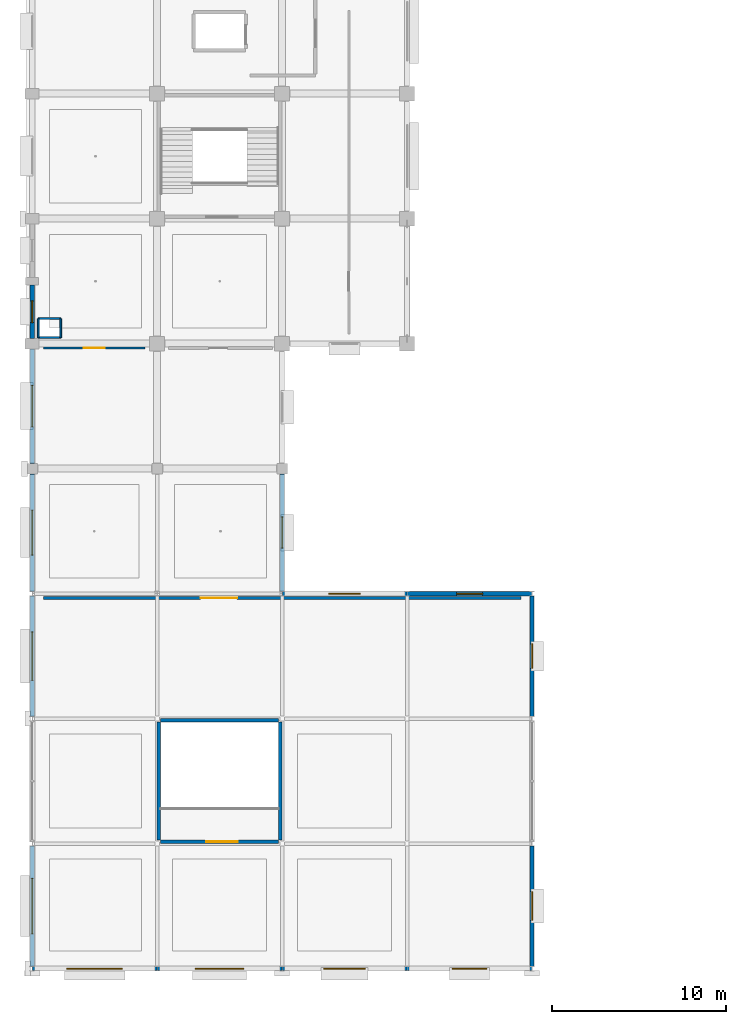
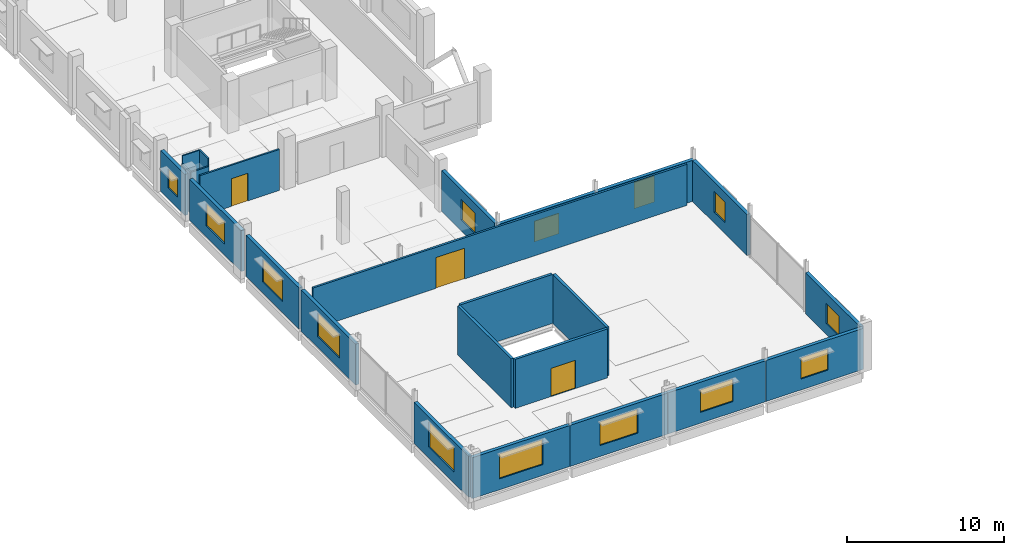
# One storey, part 76 of 107: 24 walls, 14 windows, 3 doors, 17 openings.
"""IFC4 building model written with IfcOpenShell, lengths in metres."""

import ifcopenshell
import ifcopenshell.guid

model = None  # the IFC model being written
_history = None  # IfcOwnerHistory: only IFC2X3 demands one
_inside = {}  # id of a spatial element -> (the spatial element, [elements in it])
_under = {}  # id of a project, library or spatial element -> (it, [spatial elements below it])
_declared = {}  # id of a project -> (the project, [libraries it declares])
_typed = {}  # id of a type object -> (the type object, [elements of that type])
_made_of = {}  # id of a material, layer set ... -> (it, [elements and type objects made of it])


def new_model(schema):
    """Start an empty IFC model of exactly this schema.

    Asked for "IFC4X3", IfcOpenShell would pick the latest addendum, in which some entities
    have other attributes; the version numbers below select the first issue.
    IFC2X3 requires an IfcOwnerHistory on every rooted entity: one is made here for all.
    """
    global model, _history
    if schema == "IFC4X3":
        model = ifcopenshell.file(schema_version=(4, 3, 0, 0))
    else:
        model = ifcopenshell.file(schema=schema)
    _inside.clear()
    _under.clear()
    _declared.clear()
    _typed.clear()
    _made_of.clear()
    _history = None
    if model.schema == "IFC2X3":
        org = make("IfcOrganization", Name="unknown")
        user = make(
            "IfcPersonAndOrganization",
            ThePerson=make("IfcPerson", FamilyName="unknown"),
            TheOrganization=org,
        )
        app = make(
            "IfcApplication",
            ApplicationDeveloper=org,
            Version="unknown",
            ApplicationFullName="unknown",
            ApplicationIdentifier="unknown",
        )
        _history = make(
            "IfcOwnerHistory",
            OwningUser=user,
            OwningApplication=app,
            ChangeAction="ADDED",
            CreationDate=0,
        )
    return model


def make(cls, **values):
    """One entity of the class cls with the attributes given. An attribute that is None is left unset."""
    return model.create_entity(
        cls, **{name: value for name, value in values.items() if value is not None}
    )


def rooted(cls, **values):
    """An entity with a GlobalId (a new one), such as an element, a storey or a relation."""
    return make(cls, GlobalId=ifcopenshell.guid.new(), OwnerHistory=_history, **values)


def si_unit(unit_type, name, prefix=None):
    """IfcSIUnit, for example si_unit("LENGTHUNIT", "METRE", prefix="MILLI")."""
    return make("IfcSIUnit", UnitType=unit_type, Prefix=prefix, Name=name)


def assignment(units):
    """IfcUnitAssignment: the units of a project."""
    return None if units is None else make("IfcUnitAssignment", Units=units)


def point(xyz):
    """IfcCartesianPoint."""
    return None if xyz is None else make("IfcCartesianPoint", Coordinates=xyz)


def direction(xyz):
    """IfcDirection."""
    return None if xyz is None else make("IfcDirection", DirectionRatios=xyz)


def frame(location, z_axis=None, x_axis=None):
    """IfcAxis2Placement3D, a coordinate frame: its origin and axes. An axis left out is left unset."""
    return make(
        "IfcAxis2Placement3D",
        Location=point(location),
        Axis=direction(z_axis),
        RefDirection=direction(x_axis),
    )


def frame_2d(location, x_axis=None):
    """IfcAxis2Placement2D, a coordinate frame in the plane: its origin and x axis."""
    return make(
        "IfcAxis2Placement2D", Location=point(location), RefDirection=direction(x_axis)
    )


def origin():
    """The frame at (0, 0, 0) with its axes left unset."""
    return frame((0.0, 0.0, 0.0))


def place(relative_to, where):
    """IfcLocalPlacement: puts the frame where relative to a parent placement (None: the world)."""
    return make(
        "IfcLocalPlacement", PlacementRelTo=relative_to, RelativePlacement=where
    )


def context(
    kind, dimensions, precision=None, world=None, true_north=None, identifier=None
):
    """IfcGeometricRepresentationContext, for example the 3D "Model" context."""
    return make(
        "IfcGeometricRepresentationContext",
        ContextIdentifier=identifier,
        ContextType=kind,
        CoordinateSpaceDimension=dimensions,
        Precision=precision,
        WorldCoordinateSystem=world,
        TrueNorth=true_north,
    )


def subcontext(parent, identifier, kind, view, scale=None):
    """IfcGeometricRepresentationSubContext, for example "Body" below "Model"."""
    return make(
        "IfcGeometricRepresentationSubContext",
        ContextIdentifier=identifier,
        ContextType=kind,
        ParentContext=parent,
        TargetScale=scale,
        TargetView=view,
    )


def project(units=None, contexts=None):
    """IfcProject with its units and contexts."""
    return rooted(
        "IfcProject",
        Name="project",
        RepresentationContexts=contexts,
        UnitsInContext=assignment(units),
    )


def spatial(cls, under=None, at=None, **own):
    """A site, building, storey or space (cls), placed at a placement, below another one or the project."""
    s = rooted(cls, ObjectPlacement=at, **own)
    if under is not None:
        _under.setdefault(under.id(), (under, []))[1].append(s)
    return s


def profile(cls, at=None, kind="AREA", **sizes):
    """A parametric profile (cls). Its sizes go by their IFC names, for example OverallWidth=200.0."""
    return make(cls, ProfileType=kind, Position=at, **sizes)


def rectangle(**sizes):
    """IfcRectangleProfileDef."""
    return profile("IfcRectangleProfileDef", **sizes)


def extrude(swept, where, along, depth):
    """IfcExtrudedAreaSolid: the profile swept, set in the frame where, extruded along a direction by depth."""
    return make(
        "IfcExtrudedAreaSolid",
        SweptArea=swept,
        Position=where,
        ExtrudedDirection=direction(along),
        Depth=depth,
    )


def shape(context_of_items, identifier, shape_type, items):
    """IfcShapeRepresentation: the items that make up one representation, for example the "Body"."""
    return make(
        "IfcShapeRepresentation",
        ContextOfItems=context_of_items,
        RepresentationIdentifier=identifier,
        RepresentationType=shape_type,
        Items=items,
    )


def material(Name=None, Category=None):
    """IfcMaterial."""
    return make("IfcMaterial", Name=Name, Category=Category)


def layer(
    of_material, thickness, ventilated=None, Name=None, Category=None, Priority=None
):
    """IfcMaterialLayer: one layer of a wall or slab, of a material (None: an air gap)."""
    return make(
        "IfcMaterialLayer",
        Material=of_material,
        LayerThickness=thickness,
        IsVentilated=ventilated,
        Name=Name,
        Category=Category,
        Priority=Priority,
    )


def layer_set(layers, Name=None):
    """IfcMaterialLayerSet."""
    return make("IfcMaterialLayerSet", MaterialLayers=layers, LayerSetName=Name)


def made_of(thing, what):
    """Note that an element or type object is made of a material, layer set ...; save() writes the relation."""
    if what is not None:
        _made_of.setdefault(what.id(), (what, []))[1].append(thing)
    return thing


def type_object(cls, material=None, **own):
    """A type object (cls), such as IfcWallType, which elements share."""
    return made_of(rooted(cls, **own), material)


def element(
    cls,
    number,
    at=None,
    inside=None,
    cuts=None,
    type_object=None,
    material=None,
    context=None,
    identifier="Body",
    shape_type=None,
    held_by="IfcProductDefinitionShape",
    body=None,
    shapes=None,
    **own,
):
    """One element of the class cls, such as IfcWall. Its Tag is "e" and its number.

    at: its placement. inside: the storey or other place that contains it. cuts: it is an
    opening in that element (IfcRelVoidsElement). A single representation is given by context,
    identifier, shape_type and body (its items); several are given by shapes. held_by: the class
    of the entity that holds the representations. save() writes the other relations.
    """
    e = rooted(cls, Tag="e%d" % number, ObjectPlacement=at, **own)
    if body is not None:
        shapes = [shape(context, identifier, shape_type, body)]
    if shapes is not None:
        e.Representation = make(held_by, Representations=shapes)
    if inside is not None:
        _inside.setdefault(inside.id(), (inside, []))[1].append(e)
    if cuts is not None:
        rooted(
            "IfcRelVoidsElement", RelatingBuildingElement=cuts, RelatedOpeningElement=e
        )
    if type_object is not None:
        _typed.setdefault(type_object.id(), (type_object, []))[1].append(e)
    return made_of(e, material)


def fill(opening, filler):
    """IfcRelFillsElement: the door or window that sits in an opening."""
    return rooted(
        "IfcRelFillsElement",
        RelatingOpeningElement=opening,
        RelatedBuildingElement=filler,
    )


def aggregate(whole, parts):
    """IfcRelAggregates: a whole, such as a stair, and the parts it consists of."""
    return rooted("IfcRelAggregates", RelatingObject=whole, RelatedObjects=parts)


def save(model, path):
    """Write the relations noted so far, then the file.

    IfcRelAggregates (storeys below a building ...), IfcRelContainedInSpatialStructure (elements
    in a storey), IfcRelDefinesByType, IfcRelAssociatesMaterial and IfcRelDeclares: one each for
    every whole, place, type object, material and project.
    """
    for whole, parts in _under.values():
        aggregate(whole, parts)
    for where, things in _inside.values():
        rooted(
            "IfcRelContainedInSpatialStructure",
            RelatedElements=things,
            RelatingStructure=where,
        )
    for kind, things in _typed.values():
        rooted("IfcRelDefinesByType", RelatedObjects=things, RelatingType=kind)
    for what, things in _made_of.values():
        rooted("IfcRelAssociatesMaterial", RelatedObjects=things, RelatingMaterial=what)
    for by, libraries in _declared.values():
        rooted("IfcRelDeclares", RelatingContext=by, RelatedDefinitions=libraries)
    model.write(path)


model = new_model("IFC4")

# Units and contexts
model_context = context("Model", 3, precision=1e-05, world=origin(), true_north=direction((0.0, 1.0)))
body_context = subcontext(model_context, "Body", "Model", "MODEL_VIEW")
ifc_project = project(units=[si_unit("LENGTHUNIT", "METRE"), si_unit("AREAUNIT", "SQUARE_METRE"), si_unit("VOLUMEUNIT", "CUBIC_METRE"), si_unit("PLANEANGLEUNIT", "RADIAN"), si_unit("MASSUNIT", "GRAM", prefix="KILO")], contexts=[model_context])

# Site, building, storey
site_placement = place(None, origin())
site = spatial("IfcSite", under=ifc_project, at=site_placement, CompositionType="ELEMENT")
building_placement = place(site_placement, origin())
building = spatial("IfcBuilding", under=site, at=building_placement, Name="Kangsadwip Square Police Headquarters", CompositionType="ELEMENT")
storey_placement = place(building_placement, frame((0.0, 0.0, 5.39990234375)))
storey = spatial("IfcBuildingStorey", under=building, at=storey_placement, Name="L01", CompositionType="ELEMENT", Elevation=5.39990234375)

# Wall, opening, door
ifc_material_1 = material(Name="Fire-rated double gypsum board acoustic stud partition", Category="masonry")
ifc_layer_1 = layer(ifc_material_1, 0.1201171875)
ifc_layer_set_1 = layer_set([ifc_layer_1], Name="Fire-rated double gypsum board acoustic stud partition")
wall_type_1 = type_object("IfcWallType", Name="AcousticPartition120", PredefinedType="PARTITIONING", material=ifc_layer_set_1)
wall_1_placement = place(storey_placement, frame((0.64990234375, 35.75, 0.0), z_axis=(0.0, 0.0, 1.0), x_axis=(1.0, 0.0, 0.0)))
wall_1 = element("IfcWall", 1, at=wall_1_placement, inside=storey, type_object=wall_type_1, Name="Interior Wall WI-L01-0745", PredefinedType="PARTITIONING", context=body_context, shape_type="SweptSolid", body=[
    extrude(rectangle(XDim=5.85009765625, YDim=0.1201171875, at=frame_2d((2.925048828125, 0.0))), origin(), (0.0, 0.0, 1.0), 3.2001953125),
])
opening_1_placement = place(wall_1_placement, frame((2.324951171875, 0.0, 0.0)))
opening_1 = element("IfcOpeningElement", 2, at=opening_1_placement, cuts=wall_1, Name="Opening ID-12B", PredefinedType="OPENING", context=body_context, shape_type="SweptSolid", body=[
    extrude(rectangle(XDim=1.199951171875, YDim=2.14990234375, at=frame_2d((0.60009765625, 1.074951171875))), frame((0.0, 0.070068359375, 0.0), z_axis=(0.0, -1.0, 0.0), x_axis=(1.0, 0.0, 0.0)), (0.0, 0.0, 1.0), 0.14013671875),
])
ifc_material_2 = material(Name="Solid-core seasoned teak hardwood architectural door", Category="wood")
door_type_1 = type_object("IfcDoorType", Name="ClinicDoor1200x2150", OperationType="NOTDEFINED", PredefinedType="DOOR", material=ifc_material_2)
door_1_placement = place(opening_1_placement, origin())
door_1 = element("IfcDoor", 3, at=door_1_placement, inside=storey, type_object=door_type_1, Name="Interior Door ID-L01-0173", OperationType="SINGLE_SWING_LEFT", OverallHeight=2.14990234375, OverallWidth=1.199951171875, PredefinedType="DOOR", context=body_context, shape_type="SweptSolid", body=[
    extrude(rectangle(XDim=1.199951171875, YDim=2.14990234375, at=frame_2d((0.60009765625, 1.074951171875))), frame((0.0, 0.02490234375, 0.0), z_axis=(0.0, -1.0, 0.0), x_axis=(1.0, 0.0, 0.0)), (0.0, 0.0, 1.0), 0.050048828125),
])
fill(opening_1, door_1)

ifc_material_3 = material(Name="Autoclaved aerated concrete blockwork masonry", Category="masonry")
ifc_layer_2 = layer(ifc_material_3, 0.14990234375)
ifc_layer_set_2 = layer_set([ifc_layer_2], Name="Autoclaved aerated concrete blockwork masonry")
wall_type_2 = type_object("IfcWallType", Name="BlockPartition150", PredefinedType="PARTITIONING", material=ifc_layer_set_2)
wall_2_placement = place(storey_placement, frame((0.64990234375, 21.35009765625, 0.0), z_axis=(0.0, 0.0, 1.0), x_axis=(1.0, 0.0, 0.0)))
wall_2 = element("IfcWall", 4, at=wall_2_placement, inside=storey, type_object=wall_type_2, Name="Interior Wall WI-L01-0744", PredefinedType="PARTITIONING", context=body_context, shape_type="SweptSolid", body=[
    extrude(rectangle(XDim=27.5, YDim=0.14990234375, at=frame_2d((13.75, 0.0))), origin(), (0.0, 0.0, 1.0), 3.2001953125),
])
opening_2_placement = place(wall_2_placement, frame((9.052978515625, 0.0, 0.0)))
opening_2 = element("IfcOpeningElement", 5, at=opening_2_placement, cuts=wall_2, Name="Opening ID-21", PredefinedType="OPENING", context=body_context, shape_type="SweptSolid", body=[
    extrude(rectangle(XDim=2.10009765625, YDim=2.39990234375, at=frame_2d((1.050048828125, 1.199951171875))), frame((0.0, 0.0849609375, 0.0), z_axis=(0.0, -1.0, 0.0), x_axis=(1.0, 0.0, 0.0)), (0.0, 0.0, 1.0), 0.169921875),
])
ifc_material_4 = material(Name="Solid-core seasoned teak hardwood architectural door", Category="wood")
door_type_2 = type_object("IfcDoorType", Name="HallDoubleDoor2100x2400", OperationType="DOUBLE_DOOR_SINGLE_SWING", PredefinedType="DOOR", material=ifc_material_4)
door_2_placement = place(opening_2_placement, origin())
door_2 = element("IfcDoor", 6, at=door_2_placement, inside=storey, type_object=door_type_2, Name="Interior Door ID-L01-0172", OperationType="DOUBLE_DOOR_SINGLE_SWING", OverallHeight=2.39990234375, OverallWidth=2.10009765625, PredefinedType="DOOR", context=body_context, shape_type="SweptSolid", body=[
    extrude(rectangle(XDim=2.10009765625, YDim=2.39990234375, at=frame_2d((1.050048828125, 1.199951171875))), frame((0.0, 0.02490234375, 0.0), z_axis=(0.0, -1.0, 0.0), x_axis=(1.0, 0.0, 0.0)), (0.0, 0.0, 1.0), 0.050048828125),
])
fill(opening_2, door_2)

# Wall, opening, window
ifc_material_5 = material(Name="Glazed architectural terracotta masonry rainscreen", Category="masonry")
ifc_layer_3 = layer(ifc_material_5, 0.25)
ifc_layer_set_3 = layer_set([ifc_layer_3], Name="Glazed architectural terracotta masonry rainscreen")
wall_type_3 = type_object("IfcWallType", Name="ChicagoTerracottaWall250", PredefinedType="SOLIDWALL", material=ifc_layer_set_3)
wall_3_placement = place(storey_placement, frame((0.010009765625, 0.0, 0.0), z_axis=(0.0, 0.0, 1.0), x_axis=(1.0, 0.0, 0.0)))
wall_3 = element("IfcWall", 7, at=wall_3_placement, inside=storey, type_object=wall_type_3, Name="Exterior Wall WE-L01-217", PredefinedType="SOLIDWALL", context=body_context, shape_type="SweptSolid", body=[
    extrude(rectangle(XDim=7.179931640625, YDim=0.25, at=frame_2d((3.58984375, 0.0))), origin(), (0.0, 0.0, 1.0), 3.195068359375),
])
opening_3_placement = place(wall_3_placement, frame((1.989990234375, 0.0, 0.85009765625)))
opening_3 = element("IfcOpeningElement", 8, at=opening_3_placement, cuts=wall_3, Name="Opening WN-03", PredefinedType="OPENING", context=body_context, shape_type="SweptSolid", body=[
    extrude(rectangle(XDim=3.199951171875, YDim=1.949951171875, at=frame_2d((1.60009765625, 0.97509765625))), frame((0.0, 0.135009765625, 0.0), z_axis=(0.0, -1.0, 0.0), x_axis=(1.0, 0.0, 0.0)), (0.0, 0.0, 1.0), 0.27001953125),
])
ifc_material_6 = material(Name="Double-glazed solar-control low-E safety glass", Category="glass")
window_type_1 = type_object("IfcWindowType", Name="ChicagoTripartiteWin3200x1950", PartitioningType="TRIPLE_PANEL_HORIZONTAL", PredefinedType="WINDOW", material=ifc_material_6)
window_1_placement = place(opening_3_placement, origin())
window_1 = element("IfcWindow", 9, at=window_1_placement, inside=storey, type_object=window_type_1, Name="Window WN-L01-0070", OverallHeight=1.949951171875, OverallWidth=3.199951171875, PartitioningType="SINGLE_PANEL", PredefinedType="WINDOW", context=body_context, shape_type="SweptSolid", body=[
    extrude(rectangle(XDim=3.199951171875, YDim=1.949951171875, at=frame_2d((1.60009765625, 0.97509765625))), frame((0.0, 0.030029296875, 0.0), z_axis=(0.0, -1.0, 0.0), x_axis=(1.0, 0.0, 0.0)), (0.0, 0.0, 1.0), 0.06005859375),
])
fill(opening_3, window_1)

wall_4_placement = place(storey_placement, frame((7.2099609375, 0.0, 0.0), z_axis=(0.0, 0.0, 1.0), x_axis=(1.0, 0.0, 0.0)))
wall_4 = element("IfcWall", 10, at=wall_4_placement, inside=storey, type_object=wall_type_3, Name="Exterior Wall WE-L01-218", PredefinedType="SOLIDWALL", context=body_context, shape_type="SweptSolid", body=[
    extrude(rectangle(XDim=7.179931640625, YDim=0.25, at=frame_2d((3.58984375, 0.0))), origin(), (0.0, 0.0, 1.0), 3.195068359375),
])
opening_4_placement = place(wall_4_placement, frame((2.18994140625, 0.0, 0.85009765625)))
opening_4 = element("IfcOpeningElement", 11, at=opening_4_placement, cuts=wall_4, Name="Opening WN-05", PredefinedType="OPENING", context=body_context, shape_type="SweptSolid", body=[
    extrude(rectangle(XDim=2.800048828125, YDim=1.85009765625, at=frame_2d((1.39990234375, 0.925048828125))), frame((0.0, 0.135009765625, 0.0), z_axis=(0.0, -1.0, 0.0), x_axis=(1.0, 0.0, 0.0)), (0.0, 0.0, 1.0), 0.27001953125),
])
ifc_material_7 = material(Name="Double-glazed solar-control low-E safety glass", Category="glass")
window_type_2 = type_object("IfcWindowType", Name="ChicagoDoubleMullWin2800x1850", PartitioningType="DOUBLE_PANEL_VERTICAL", PredefinedType="WINDOW", material=ifc_material_7)
window_2_placement = place(opening_4_placement, origin())
window_2 = element("IfcWindow", 12, at=window_2_placement, inside=storey, type_object=window_type_2, Name="Window WN-L01-0071", OverallHeight=1.85009765625, OverallWidth=2.800048828125, PartitioningType="SINGLE_PANEL", PredefinedType="WINDOW", context=body_context, shape_type="SweptSolid", body=[
    extrude(rectangle(XDim=2.800048828125, YDim=1.85009765625, at=frame_2d((1.39990234375, 0.925048828125))), frame((0.0, 0.030029296875, 0.0), z_axis=(0.0, -1.0, 0.0), x_axis=(1.0, 0.0, 0.0)), (0.0, 0.0, 1.0), 0.06005859375),
])
fill(opening_4, window_2)

wall_5_placement = place(storey_placement, frame((14.409912109375, 0.0, 0.0), z_axis=(0.0, 0.0, 1.0), x_axis=(1.0, 0.0, 0.0)))
wall_5 = element("IfcWall", 13, at=wall_5_placement, inside=storey, type_object=wall_type_3, Name="Exterior Wall WE-L01-219", PredefinedType="SOLIDWALL", context=body_context, shape_type="SweptSolid", body=[
    extrude(rectangle(XDim=7.18017578125, YDim=0.25, at=frame_2d((3.590087890625, 0.0))), origin(), (0.0, 0.0, 1.0), 3.195068359375),
])
opening_5_placement = place(wall_5_placement, frame((2.389892578125, 0.0, 0.85009765625)))
opening_5 = element("IfcOpeningElement", 14, at=opening_5_placement, cuts=wall_5, Name="Opening WN-07", PredefinedType="OPENING", context=body_context, shape_type="SweptSolid", body=[
    extrude(rectangle(XDim=2.39990234375, YDim=1.75, at=frame_2d((1.199951171875, 0.875))), frame((0.0, 0.135009765625, 0.0), z_axis=(0.0, -1.0, 0.0), x_axis=(1.0, 0.0, 0.0)), (0.0, 0.0, 1.0), 0.27001953125),
])
ifc_material_8 = material(Name="Double-glazed solar-control low-E safety glass", Category="glass")
window_type_3 = type_object("IfcWindowType", Name="ChicagoDoubleMullWin2400x1750", PartitioningType="DOUBLE_PANEL_VERTICAL", PredefinedType="WINDOW", material=ifc_material_8)
window_3_placement = place(opening_5_placement, origin())
window_3 = element("IfcWindow", 15, at=window_3_placement, inside=storey, type_object=window_type_3, Name="Window WN-L01-0072", OverallHeight=1.75, OverallWidth=2.39990234375, PartitioningType="SINGLE_PANEL", PredefinedType="WINDOW", context=body_context, shape_type="SweptSolid", body=[
    extrude(rectangle(XDim=2.39990234375, YDim=1.75, at=frame_2d((1.199951171875, 0.875))), frame((0.0, 0.030029296875, 0.0), z_axis=(0.0, -1.0, 0.0), x_axis=(1.0, 0.0, 0.0)), (0.0, 0.0, 1.0), 0.06005859375),
])
fill(opening_5, window_3)

wall_6_placement = place(storey_placement, frame((21.610107421875, 0.0, 0.0), z_axis=(0.0, 0.0, 1.0), x_axis=(1.0, 0.0, 0.0)))
wall_6 = element("IfcWall", 16, at=wall_6_placement, inside=storey, type_object=wall_type_3, Name="Exterior Wall WE-L01-220", PredefinedType="SOLIDWALL", context=body_context, shape_type="SweptSolid", body=[
    extrude(rectangle(XDim=7.179931640625, YDim=0.25, at=frame_2d((3.58984375, 0.0))), origin(), (0.0, 0.0, 1.0), 3.195068359375),
])
opening_6_placement = place(wall_6_placement, frame((2.590087890625, 0.0, 0.85009765625)))
opening_6 = element("IfcOpeningElement", 17, at=opening_6_placement, cuts=wall_6, Name="Opening WN-09", PredefinedType="OPENING", context=body_context, shape_type="SweptSolid", body=[
    extrude(rectangle(XDim=2.0, YDim=1.64990234375, at=frame_2d((1.0, 0.824951171875))), frame((0.0, 0.135009765625, 0.0), z_axis=(0.0, -1.0, 0.0), x_axis=(1.0, 0.0, 0.0)), (0.0, 0.0, 1.0), 0.27001953125),
])
ifc_material_9 = material(Name="Double-glazed solar-control low-E safety glass", Category="glass")
window_type_4 = type_object("IfcWindowType", Name="ChicagoDoubleMullWin2000x1650", PartitioningType="DOUBLE_PANEL_VERTICAL", PredefinedType="WINDOW", material=ifc_material_9)
window_4_placement = place(opening_6_placement, origin())
window_4 = element("IfcWindow", 18, at=window_4_placement, inside=storey, type_object=window_type_4, Name="Window WN-L01-0073", OverallHeight=1.64990234375, OverallWidth=2.0, PartitioningType="SINGLE_PANEL", PredefinedType="WINDOW", context=body_context, shape_type="SweptSolid", body=[
    extrude(rectangle(XDim=2.0, YDim=1.64990234375, at=frame_2d((1.0, 0.824951171875))), frame((0.0, 0.030029296875, 0.0), z_axis=(0.0, -1.0, 0.0), x_axis=(1.0, 0.0, 0.0)), (0.0, 0.0, 1.0), 0.06005859375),
])
fill(opening_6, window_4)

wall_7_placement = place(storey_placement, frame((14.409912109375, 21.60009765625, 0.0), z_axis=(0.0, 0.0, 1.0), x_axis=(1.0, 0.0, 0.0)))
wall_7 = element("IfcWall", 19, at=wall_7_placement, inside=storey, type_object=wall_type_3, Name="Exterior Wall WE-L01-221", PredefinedType="SOLIDWALL", context=body_context, shape_type="SweptSolid", body=[
    extrude(rectangle(XDim=7.18017578125, YDim=0.25, at=frame_2d((3.590087890625, 0.0))), origin(), (0.0, 0.0, 1.0), 3.195068359375),
])
opening_7_placement = place(wall_7_placement, frame((2.68994140625, 0.0, 0.85009765625)))
opening_7 = element("IfcOpeningElement", 20, at=opening_7_placement, cuts=wall_7, Name="Opening WN-10", PredefinedType="OPENING", context=body_context, shape_type="SweptSolid", body=[
    extrude(rectangle(XDim=1.800048828125, YDim=1.60009765625, at=frame_2d((0.89990234375, 0.800048828125))), frame((0.0, 0.135009765625, 0.0), z_axis=(0.0, -1.0, 0.0), x_axis=(1.0, 0.0, 0.0)), (0.0, 0.0, 1.0), 0.27001953125),
])
ifc_material_10 = material(Name="Double-glazed solar-control low-E safety glass", Category="glass")
window_type_5 = type_object("IfcWindowType", Name="LabCleanViewWin1800x1600", PartitioningType="DOUBLE_PANEL_VERTICAL", PredefinedType="WINDOW", material=ifc_material_10)
window_5_placement = place(opening_7_placement, origin())
window_5 = element("IfcWindow", 21, at=window_5_placement, inside=storey, type_object=window_type_5, Name="Window WN-L01-0074", OverallHeight=1.60009765625, OverallWidth=1.800048828125, PartitioningType="SINGLE_PANEL", PredefinedType="WINDOW", context=body_context, shape_type="SweptSolid", body=[
    extrude(rectangle(XDim=1.800048828125, YDim=1.60009765625, at=frame_2d((0.89990234375, 0.800048828125))), frame((0.0, 0.030029296875, 0.0), z_axis=(0.0, -1.0, 0.0), x_axis=(1.0, 0.0, 0.0)), (0.0, 0.0, 1.0), 0.06005859375),
])
fill(opening_7, window_5)

wall_8_placement = place(storey_placement, frame((21.610107421875, 21.60009765625, 0.0), z_axis=(0.0, 0.0, 1.0), x_axis=(1.0, 0.0, 0.0)))
wall_8 = element("IfcWall", 22, at=wall_8_placement, inside=storey, type_object=wall_type_3, Name="Exterior Wall WE-L01-222", PredefinedType="SOLIDWALL", context=body_context, shape_type="SweptSolid", body=[
    extrude(rectangle(XDim=7.179931640625, YDim=0.25, at=frame_2d((3.58984375, 0.0))), origin(), (0.0, 0.0, 1.0), 3.195068359375),
])
opening_8_placement = place(wall_8_placement, frame((2.840087890625, 0.0, 0.85009765625)))
opening_8 = element("IfcOpeningElement", 23, at=opening_8_placement, cuts=wall_8, Name="Opening WN-12", PredefinedType="OPENING", context=body_context, shape_type="SweptSolid", body=[
    extrude(rectangle(XDim=1.5, YDim=2.050048828125, at=frame_2d((0.75, 1.02490234375))), frame((0.0, 0.135009765625, 0.0), z_axis=(0.0, -1.0, 0.0), x_axis=(1.0, 0.0, 0.0)), (0.0, 0.0, 1.0), 0.27001953125),
])
ifc_material_11 = material(Name="Double-glazed solar-control low-E safety glass", Category="glass")
window_type_6 = type_object("IfcWindowType", Name="DirectorateTallWin1500x2050", PartitioningType="SINGLE_PANEL", PredefinedType="WINDOW", material=ifc_material_11)
window_6_placement = place(opening_8_placement, origin())
window_6 = element("IfcWindow", 24, at=window_6_placement, inside=storey, type_object=window_type_6, Name="Window WN-L01-0075", OverallHeight=2.050048828125, OverallWidth=1.5, PartitioningType="SINGLE_PANEL", PredefinedType="WINDOW", context=body_context, shape_type="SweptSolid", body=[
    extrude(rectangle(XDim=1.5, YDim=2.050048828125, at=frame_2d((0.75, 1.02490234375))), frame((0.0, 0.030029296875, 0.0), z_axis=(0.0, -1.0, 0.0), x_axis=(1.0, 0.0, 0.0)), (0.0, 0.0, 1.0), 0.06005859375),
])
fill(opening_8, window_6)

wall_9_placement = place(storey_placement, frame((0.0, 0.1279296875, 0.0), z_axis=(0.0, 0.0, 1.0), x_axis=(0.0, 1.0, 0.0)))
wall_9 = element("IfcWall", 25, at=wall_9_placement, inside=storey, type_object=wall_type_3, Name="Exterior Wall WE-L01-245", PredefinedType="SOLIDWALL", context=body_context, shape_type="SweptSolid", body=[
    extrude(rectangle(XDim=6.944091796875, YDim=0.25, at=frame_2d((3.47216796875, 0.0))), origin(), (0.0, 0.0, 1.0), 3.195068359375),
])
opening_9_placement = place(wall_9_placement, frame((1.8720703125, 0.0, 0.85009765625)))
opening_9 = element("IfcOpeningElement", 26, at=opening_9_placement, cuts=wall_9, Name="Opening WN-03", PredefinedType="OPENING", context=body_context, shape_type="SweptSolid", body=[
    extrude(rectangle(XDim=3.199951171875, YDim=1.949951171875, at=frame_2d((1.60009765625, 0.97509765625))), frame((0.0, 0.135009765625, 0.0), z_axis=(0.0, -1.0, 0.0), x_axis=(1.0, 0.0, 0.0)), (0.0, 0.0, 1.0), 0.27001953125),
])
window_7_placement = place(opening_9_placement, origin())
window_7 = element("IfcWindow", 27, at=window_7_placement, inside=storey, type_object=window_type_1, Name="Window WN-L01-0098", OverallHeight=1.949951171875, OverallWidth=3.199951171875, PartitioningType="SINGLE_PANEL", PredefinedType="WINDOW", context=body_context, shape_type="SweptSolid", body=[
    extrude(rectangle(XDim=3.199951171875, YDim=1.949951171875, at=frame_2d((1.60009765625, 0.97509765625))), frame((0.0, 0.030029296875, 0.0), z_axis=(0.0, -1.0, 0.0), x_axis=(1.0, 0.0, 0.0)), (0.0, 0.0, 1.0), 0.06005859375),
])
fill(opening_9, window_7)

wall_10_placement = place(storey_placement, frame((0.0, 14.528076171875, 0.0), z_axis=(0.0, 0.0, 1.0), x_axis=(0.0, 1.0, 0.0)))
wall_10 = element("IfcWall", 28, at=wall_10_placement, inside=storey, type_object=wall_type_3, Name="Exterior Wall WE-L01-246", PredefinedType="SOLIDWALL", context=body_context, shape_type="SweptSolid", body=[
    extrude(rectangle(XDim=6.94384765625, YDim=0.25, at=frame_2d((3.471923828125, 0.0))), origin(), (0.0, 0.0, 1.0), 3.195068359375),
])
opening_10_placement = place(wall_10_placement, frame((2.072021484375, 0.0, 0.85009765625)))
opening_10 = element("IfcOpeningElement", 29, at=opening_10_placement, cuts=wall_10, Name="Opening WN-05", PredefinedType="OPENING", context=body_context, shape_type="SweptSolid", body=[
    extrude(rectangle(XDim=2.800048828125, YDim=1.85009765625, at=frame_2d((1.39990234375, 0.925048828125))), frame((0.0, 0.135009765625, 0.0), z_axis=(0.0, -1.0, 0.0), x_axis=(1.0, 0.0, 0.0)), (0.0, 0.0, 1.0), 0.27001953125),
])
window_8_placement = place(opening_10_placement, origin())
window_8 = element("IfcWindow", 30, at=window_8_placement, inside=storey, type_object=window_type_2, Name="Window WN-L01-0099", OverallHeight=1.85009765625, OverallWidth=2.800048828125, PartitioningType="SINGLE_PANEL", PredefinedType="WINDOW", context=body_context, shape_type="SweptSolid", body=[
    extrude(rectangle(XDim=2.800048828125, YDim=1.85009765625, at=frame_2d((1.39990234375, 0.925048828125))), frame((0.0, 0.030029296875, 0.0), z_axis=(0.0, -1.0, 0.0), x_axis=(1.0, 0.0, 0.0)), (0.0, 0.0, 1.0), 0.06005859375),
])
fill(opening_10, window_8)

wall_11_placement = place(storey_placement, frame((0.0, 21.72802734375, 0.0), z_axis=(0.0, 0.0, 1.0), x_axis=(0.0, 1.0, 0.0)))
wall_11 = element("IfcWall", 31, at=wall_11_placement, inside=storey, type_object=wall_type_3, Name="Exterior Wall WE-L01-247", PredefinedType="SOLIDWALL", context=body_context, shape_type="SweptSolid", body=[
    extrude(rectangle(XDim=6.77685546875, YDim=0.25, at=frame_2d((3.388427734375, 0.0))), origin(), (0.0, 0.0, 1.0), 3.195068359375),
])
opening_11_placement = place(wall_11_placement, frame((2.08837890625, 0.0, 0.85009765625)))
opening_11 = element("IfcOpeningElement", 32, at=opening_11_placement, cuts=wall_11, Name="Opening WN-06", PredefinedType="OPENING", context=body_context, shape_type="SweptSolid", body=[
    extrude(rectangle(XDim=2.60009765625, YDim=1.800048828125, at=frame_2d((1.300048828125, 0.89990234375))), frame((0.0, 0.135009765625, 0.0), z_axis=(0.0, -1.0, 0.0), x_axis=(1.0, 0.0, 0.0)), (0.0, 0.0, 1.0), 0.27001953125),
])
ifc_material_12 = material(Name="Double-glazed solar-control low-E safety glass", Category="glass")
window_type_7 = type_object("IfcWindowType", Name="ChicagoDoubleMullWin2600x1800", PartitioningType="DOUBLE_PANEL_VERTICAL", PredefinedType="WINDOW", material=ifc_material_12)
window_9_placement = place(opening_11_placement, origin())
window_9 = element("IfcWindow", 33, at=window_9_placement, inside=storey, type_object=window_type_7, Name="Window WN-L01-0100", OverallHeight=1.800048828125, OverallWidth=2.60009765625, PartitioningType="SINGLE_PANEL", PredefinedType="WINDOW", context=body_context, shape_type="SweptSolid", body=[
    extrude(rectangle(XDim=2.60009765625, YDim=1.800048828125, at=frame_2d((1.300048828125, 0.89990234375))), frame((0.0, 0.030029296875, 0.0), z_axis=(0.0, -1.0, 0.0), x_axis=(1.0, 0.0, 0.0)), (0.0, 0.0, 1.0), 0.06005859375),
])
fill(opening_11, window_9)

wall_12_placement = place(storey_placement, frame((0.0, 29.094970703125, 0.0), z_axis=(0.0, 0.0, 1.0), x_axis=(0.0, 1.0, 0.0)))
wall_12 = element("IfcWall", 34, at=wall_12_placement, inside=storey, type_object=wall_type_3, Name="Exterior Wall WE-L01-248", PredefinedType="SOLIDWALL", context=body_context, shape_type="SweptSolid", body=[
    extrude(rectangle(XDim=6.610107421875, YDim=0.25, at=frame_2d((3.30517578125, 0.0))), origin(), (0.0, 0.0, 1.0), 3.195068359375),
])
opening_12_placement = place(wall_12_placement, frame((2.10498046875, 0.0, 0.85009765625)))
opening_12 = element("IfcOpeningElement", 35, at=opening_12_placement, cuts=wall_12, Name="Opening WN-07", PredefinedType="OPENING", context=body_context, shape_type="SweptSolid", body=[
    extrude(rectangle(XDim=2.39990234375, YDim=1.75, at=frame_2d((1.199951171875, 0.875))), frame((0.0, 0.135009765625, 0.0), z_axis=(0.0, -1.0, 0.0), x_axis=(1.0, 0.0, 0.0)), (0.0, 0.0, 1.0), 0.27001953125),
])
window_10_placement = place(opening_12_placement, origin())
window_10 = element("IfcWindow", 36, at=window_10_placement, inside=storey, type_object=window_type_3, Name="Window WN-L01-0101", OverallHeight=1.75, OverallWidth=2.39990234375, PartitioningType="SINGLE_PANEL", PredefinedType="WINDOW", context=body_context, shape_type="SweptSolid", body=[
    extrude(rectangle(XDim=2.39990234375, YDim=1.75, at=frame_2d((1.199951171875, 0.875))), frame((0.0, 0.030029296875, 0.0), z_axis=(0.0, -1.0, 0.0), x_axis=(1.0, 0.0, 0.0)), (0.0, 0.0, 1.0), 0.06005859375),
])
fill(opening_12, window_10)

wall_13_placement = place(storey_placement, frame((0.0, 36.294921875, 0.0), z_axis=(0.0, 0.0, 1.0), x_axis=(0.0, 1.0, 0.0)))
wall_13 = element("IfcWall", 37, at=wall_13_placement, inside=storey, type_object=wall_type_3, Name="Exterior Wall WE-L01-249", PredefinedType="SOLIDWALL", context=body_context, shape_type="SweptSolid", body=[
    extrude(rectangle(XDim=3.0849609375, YDim=0.25, at=frame_2d((1.54248046875, 0.0))), origin(), (0.0, 0.0, 1.0), 3.195068359375),
])
opening_13_placement = place(wall_13_placement, frame((0.91748046875, 0.0, 0.85009765625)))
opening_13 = element("IfcOpeningElement", 38, at=opening_13_placement, cuts=wall_13, Name="Opening WN-14", PredefinedType="OPENING", context=body_context, shape_type="SweptSolid", body=[
    extrude(rectangle(XDim=1.25, YDim=1.5, at=frame_2d((0.625, 0.75))), frame((0.0, 0.135009765625, 0.0), z_axis=(0.0, -1.0, 0.0), x_axis=(1.0, 0.0, 0.0)), (0.0, 0.0, 1.0), 0.27001953125),
])
ifc_material_13 = material(Name="Double-glazed solar-control low-E safety glass", Category="glass")
window_type_8 = type_object("IfcWindowType", Name="OfficeCasementWin1250x1500", PartitioningType="SINGLE_PANEL", PredefinedType="WINDOW", material=ifc_material_13)
window_11_placement = place(opening_13_placement, origin())
window_11 = element("IfcWindow", 39, at=window_11_placement, inside=storey, type_object=window_type_8, Name="Window WN-L01-0102", OverallHeight=1.5, OverallWidth=1.25, PartitioningType="SINGLE_PANEL", PredefinedType="WINDOW", context=body_context, shape_type="SweptSolid", body=[
    extrude(rectangle(XDim=1.25, YDim=1.5, at=frame_2d((0.625, 0.75))), frame((0.0, 0.030029296875, 0.0), z_axis=(0.0, -1.0, 0.0), x_axis=(1.0, 0.0, 0.0)), (0.0, 0.0, 1.0), 0.06005859375),
])
fill(opening_13, window_11)

wall_14_placement = place(storey_placement, frame((14.39990234375, 21.72802734375, 0.0), z_axis=(0.0, 0.0, 1.0), x_axis=(0.0, 1.0, 0.0)))
wall_14 = element("IfcWall", 40, at=wall_14_placement, inside=storey, type_object=wall_type_3, Name="Exterior Wall WE-L01-261", PredefinedType="SOLIDWALL", context=body_context, shape_type="SweptSolid", body=[
    extrude(rectangle(XDim=6.77685546875, YDim=0.25, at=frame_2d((3.388427734375, 0.0))), origin(), (0.0, 0.0, 1.0), 3.195068359375),
])
opening_14_placement = place(wall_14_placement, frame((2.488525390625, 0.0, 0.85009765625)))
opening_14 = element("IfcOpeningElement", 41, at=opening_14_placement, cuts=wall_14, Name="Opening WN-10", PredefinedType="OPENING", context=body_context, shape_type="SweptSolid", body=[
    extrude(rectangle(XDim=1.800048828125, YDim=1.60009765625, at=frame_2d((0.89990234375, 0.800048828125))), frame((0.0, 0.135009765625, 0.0), z_axis=(0.0, -1.0, 0.0), x_axis=(1.0, 0.0, 0.0)), (0.0, 0.0, 1.0), 0.27001953125),
])
window_12_placement = place(opening_14_placement, origin())
window_12 = element("IfcWindow", 42, at=window_12_placement, inside=storey, type_object=window_type_5, Name="Window WN-L01-0114", OverallHeight=1.60009765625, OverallWidth=1.800048828125, PartitioningType="SINGLE_PANEL", PredefinedType="WINDOW", context=body_context, shape_type="SweptSolid", body=[
    extrude(rectangle(XDim=1.800048828125, YDim=1.60009765625, at=frame_2d((0.89990234375, 0.800048828125))), frame((0.0, 0.030029296875, 0.0), z_axis=(0.0, -1.0, 0.0), x_axis=(1.0, 0.0, 0.0)), (0.0, 0.0, 1.0), 0.06005859375),
])
fill(opening_14, window_12)

wall_15_placement = place(storey_placement, frame((28.800048828125, 0.1279296875, 0.0), z_axis=(0.0, 0.0, 1.0), x_axis=(0.0, 1.0, 0.0)))
wall_15 = element("IfcWall", 43, at=wall_15_placement, inside=storey, type_object=wall_type_3, Name="Exterior Wall WE-L01-268", PredefinedType="SOLIDWALL", context=body_context, shape_type="SweptSolid", body=[
    extrude(rectangle(XDim=6.944091796875, YDim=0.25, at=frame_2d((3.47216796875, 0.0))), origin(), (0.0, 0.0, 1.0), 3.195068359375),
])
opening_15_placement = place(wall_15_placement, frame((2.64697265625, 0.0, 0.85009765625)))
opening_15 = element("IfcOpeningElement", 44, at=opening_15_placement, cuts=wall_15, Name="Opening WN-11", PredefinedType="OPENING", context=body_context, shape_type="SweptSolid", body=[
    extrude(rectangle(XDim=1.64990234375, YDim=1.550048828125, at=frame_2d((0.824951171875, 0.77490234375))), frame((0.0, 0.135009765625, 0.0), z_axis=(0.0, -1.0, 0.0), x_axis=(1.0, 0.0, 0.0)), (0.0, 0.0, 1.0), 0.27001953125),
])
ifc_material_14 = material(Name="Double-glazed solar-control low-E safety glass", Category="glass")
window_type_9 = type_object("IfcWindowType", Name="LabCleanViewWin1650x1550", PartitioningType="SINGLE_PANEL", PredefinedType="WINDOW", material=ifc_material_14)
window_13_placement = place(opening_15_placement, origin())
window_13 = element("IfcWindow", 45, at=window_13_placement, inside=storey, type_object=window_type_9, Name="Window WN-L01-0121", OverallHeight=1.550048828125, OverallWidth=1.64990234375, PartitioningType="SINGLE_PANEL", PredefinedType="WINDOW", context=body_context, shape_type="SweptSolid", body=[
    extrude(rectangle(XDim=1.64990234375, YDim=1.550048828125, at=frame_2d((0.824951171875, 0.77490234375))), frame((0.0, 0.030029296875, 0.0), z_axis=(0.0, -1.0, 0.0), x_axis=(1.0, 0.0, 0.0)), (0.0, 0.0, 1.0), 0.06005859375),
])
fill(opening_15, window_13)

wall_16_placement = place(storey_placement, frame((28.800048828125, 14.528076171875, 0.0), z_axis=(0.0, 0.0, 1.0), x_axis=(0.0, 1.0, 0.0)))
wall_16 = element("IfcWall", 46, at=wall_16_placement, inside=storey, type_object=wall_type_3, Name="Exterior Wall WE-L01-269", PredefinedType="SOLIDWALL", context=body_context, shape_type="SweptSolid", body=[
    extrude(rectangle(XDim=6.94384765625, YDim=0.25, at=frame_2d((3.471923828125, 0.0))), origin(), (0.0, 0.0, 1.0), 3.195068359375),
])
opening_16_placement = place(wall_16_placement, frame((2.77197265625, 0.0, 0.85009765625)))
opening_16 = element("IfcOpeningElement", 47, at=opening_16_placement, cuts=wall_16, Name="Opening WN-13", PredefinedType="OPENING", context=body_context, shape_type="SweptSolid", body=[
    extrude(rectangle(XDim=1.39990234375, YDim=1.60009765625, at=frame_2d((0.699951171875, 0.800048828125))), frame((0.0, 0.135009765625, 0.0), z_axis=(0.0, -1.0, 0.0), x_axis=(1.0, 0.0, 0.0)), (0.0, 0.0, 1.0), 0.27001953125),
])
ifc_material_15 = material(Name="Double-glazed solar-control low-E safety glass", Category="glass")
window_type_10 = type_object("IfcWindowType", Name="OfficeCasementWin1400x1600", PartitioningType="SINGLE_PANEL", PredefinedType="WINDOW", material=ifc_material_15)
window_14_placement = place(opening_16_placement, origin())
window_14 = element("IfcWindow", 48, at=window_14_placement, inside=storey, type_object=window_type_10, Name="Window WN-L01-0122", OverallHeight=1.60009765625, OverallWidth=1.39990234375, PartitioningType="SINGLE_PANEL", PredefinedType="WINDOW", context=body_context, shape_type="SweptSolid", body=[
    extrude(rectangle(XDim=1.39990234375, YDim=1.60009765625, at=frame_2d((0.699951171875, 0.800048828125))), frame((0.0, 0.030029296875, 0.0), z_axis=(0.0, -1.0, 0.0), x_axis=(1.0, 0.0, 0.0)), (0.0, 0.0, 1.0), 0.06005859375),
])
fill(opening_16, window_14)

# Wall, opening, door
ifc_material_16 = material(Name="Concrete M40 (40 MPa)", Category="concrete")
ifc_layer_4 = layer(ifc_material_16, 0.199951171875)
ifc_layer_set_4 = layer_set([ifc_layer_4], Name="Concrete M40 (40 MPa)")
wall_type_4 = type_object("IfcWallType", Name="CoreShearWall200", PredefinedType="SHEAR", material=ifc_layer_set_4)
wall_17_placement = place(storey_placement, frame((7.39990234375, 7.300048828125, 0.0), z_axis=(0.0, 0.0, 1.0), x_axis=(1.0, 0.0, 0.0)))
wall_17 = element("IfcWall", 49, at=wall_17_placement, inside=storey, type_object=wall_type_4, Name="Interior Wall WI-L01-0225", PredefinedType="SHEAR", context=body_context, shape_type="SweptSolid", body=[
    extrude(rectangle(XDim=6.800048828125, YDim=0.199951171875, at=frame_2d((3.39990234375, 0.0))), origin(), (0.0, 0.0, 1.0), 3.81005859375),
])
opening_17_placement = place(wall_17_placement, frame((2.632080078125, 0.0, 0.0)))
opening_17 = element("IfcOpeningElement", 50, at=opening_17_placement, cuts=wall_17, Name="Opening FD-18", PredefinedType="OPENING", context=body_context, shape_type="SweptSolid", body=[
    extrude(rectangle(XDim=1.800048828125, YDim=2.199951171875, at=frame_2d((0.89990234375, 1.10009765625))), frame((0.0, 0.10986328125, 0.0), z_axis=(0.0, -1.0, 0.0), x_axis=(1.0, 0.0, 0.0)), (0.0, 0.0, 1.0), 0.219970703125),
])
ifc_material_17 = material(Name="Insulated galvanized steel fire-rated door assembly", Category="steel")
door_type_3 = type_object("IfcDoorType", Name="StairFireDoor1800x2200", OperationType="DOUBLE_DOOR_SINGLE_SWING", PredefinedType="DOOR", material=ifc_material_17)
door_3_placement = place(opening_17_placement, origin())
door_3 = element("IfcDoor", 51, at=door_3_placement, inside=storey, type_object=door_type_3, Name="Interior Door ID-L01-0052", OperationType="DOUBLE_DOOR_SINGLE_SWING", OverallHeight=2.199951171875, OverallWidth=1.800048828125, PredefinedType="DOOR", context=body_context, shape_type="SweptSolid", body=[
    extrude(rectangle(XDim=1.800048828125, YDim=2.199951171875, at=frame_2d((0.89990234375, 1.10009765625))), frame((0.0, 0.02490234375, 0.0), z_axis=(0.0, -1.0, 0.0), x_axis=(1.0, 0.0, 0.0)), (0.0, 0.0, 1.0), 0.050048828125),
])
fill(opening_17, door_3)

# Walls
for number, where, z_axis, x_axis, name in (
    (52, (7.39990234375, 14.300048828125, 0.0), (0.0, 0.0, 1.0), (1.0, 0.0, 0.0), "Interior Wall WI-L01-0226"),
    (53, (7.300048828125, 7.39990234375, 0.0), (0.0, 0.0, 1.0), (0.0, 1.0, 0.0), "Interior Wall WI-L01-0227"),
    (54, (14.300048828125, 7.39990234375, 0.0), (0.0, 0.0, 1.0), (0.0, 1.0, 0.0), "Interior Wall WI-L01-0228"),
):
    element("IfcWall", number, at=place(storey_placement, frame(where, z_axis=z_axis, x_axis=x_axis)), inside=storey, type_object=wall_type_4, Name=name, PredefinedType="SHEAR", context=body_context, shape_type="SweptSolid", body=[
        extrude(rectangle(XDim=6.800048828125, YDim=0.199951171875, at=frame_2d((3.39990234375, 0.0))), origin(), (0.0, 0.0, 1.0), 3.81005859375),
    ])
ifc_material_18 = material(Name="Autoclaved aerated concrete blockwork masonry", Category="masonry")
ifc_layer_5 = layer(ifc_material_18, 0.10009765625)
ifc_layer_set_5 = layer_set([ifc_layer_5], Name="Autoclaved aerated concrete blockwork masonry")
wall_type_5 = type_object("IfcWallType", Name="WetWallPartition100", PredefinedType="PARTITIONING", material=ifc_layer_set_5)
wall_18_placement = place(storey_placement, frame((0.35009765625, 36.35009765625, 0.0), z_axis=(0.0, 0.0, 1.0), x_axis=(1.0, 0.0, 0.0)))
element("IfcWall", 55, at=wall_18_placement, inside=storey, type_object=wall_type_5, Name="Interior Wall WI-L01-0519", PredefinedType="PARTITIONING", context=body_context, shape_type="SweptSolid", body=[
    extrude(rectangle(XDim=1.2998046875, YDim=0.10009765625, at=frame_2d((0.64990234375, 0.0))), origin(), (0.0, 0.0, 1.0), 3.2001953125),
])
wall_19_placement = place(storey_placement, frame((0.35009765625, 37.449951171875, 0.0), z_axis=(0.0, 0.0, 1.0), x_axis=(1.0, 0.0, 0.0)))
element("IfcWall", 56, at=wall_19_placement, inside=storey, type_object=wall_type_5, Name="Interior Wall WI-L01-0520", PredefinedType="PARTITIONING", context=body_context, shape_type="SweptSolid", body=[
    extrude(rectangle(XDim=1.2998046875, YDim=0.10009765625, at=frame_2d((0.64990234375, 0.0))), origin(), (0.0, 0.0, 1.0), 3.81005859375),
])
wall_20_placement = place(storey_placement, frame((0.35009765625, 36.35009765625, 0.0), z_axis=(0.0, 0.0, 1.0), x_axis=(0.0, 1.0, 0.0)))
element("IfcWall", 57, at=wall_20_placement, inside=storey, type_object=wall_type_5, Name="Interior Wall WI-L01-0521", PredefinedType="PARTITIONING", context=body_context, shape_type="SweptSolid", body=[
    extrude(rectangle(XDim=1.099853515625, YDim=0.10009765625, at=frame_2d((0.5498046875, 0.0))), origin(), (0.0, 0.0, 1.0), 3.2001953125),
])
wall_21_placement = place(storey_placement, frame((1.64990234375, 36.35009765625, 0.0), z_axis=(0.0, 0.0, 1.0), x_axis=(0.0, 1.0, 0.0)))
element("IfcWall", 58, at=wall_21_placement, inside=storey, type_object=wall_type_5, Name="Interior Wall WI-L01-0522", PredefinedType="PARTITIONING", context=body_context, shape_type="SweptSolid", body=[
    extrude(rectangle(XDim=1.099853515625, YDim=0.10009765625, at=frame_2d((0.5498046875, 0.0))), origin(), (0.0, 0.0, 1.0), 3.81005859375),
])

save(model, "model.ifc")
